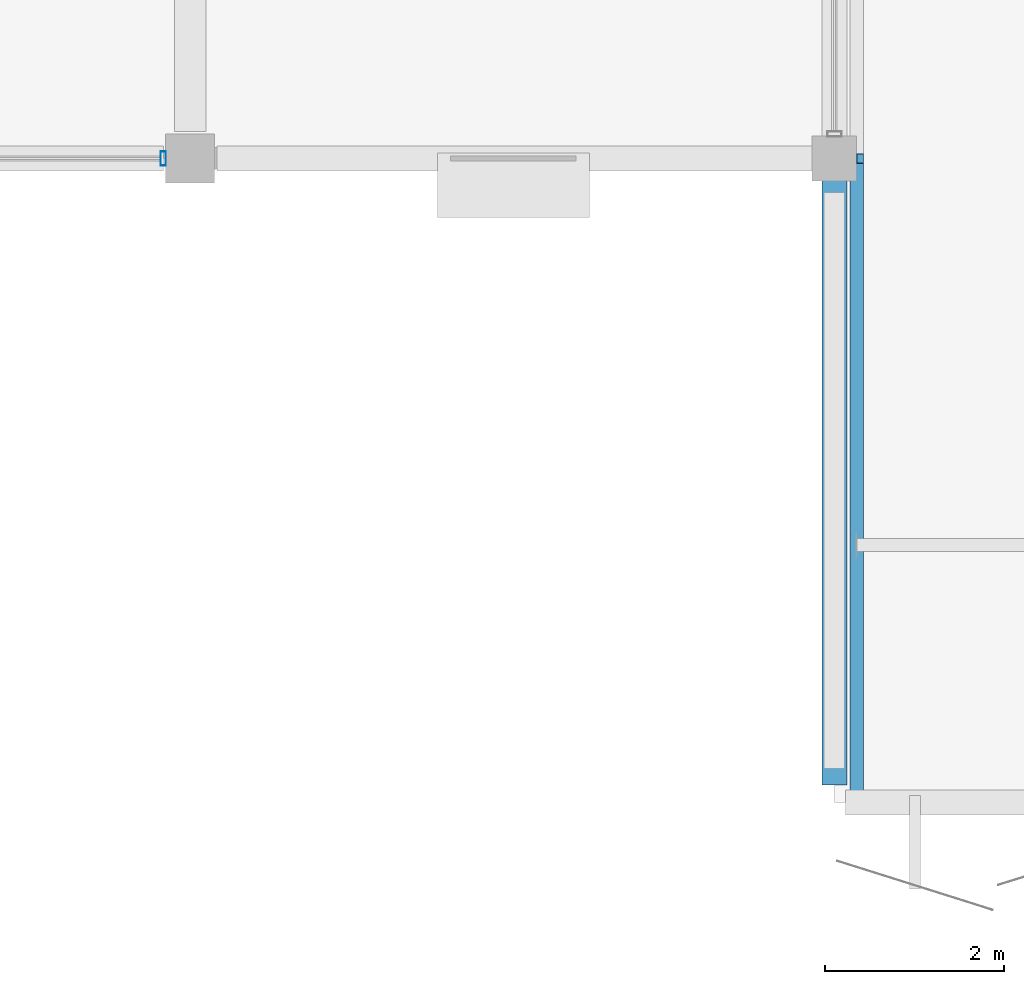
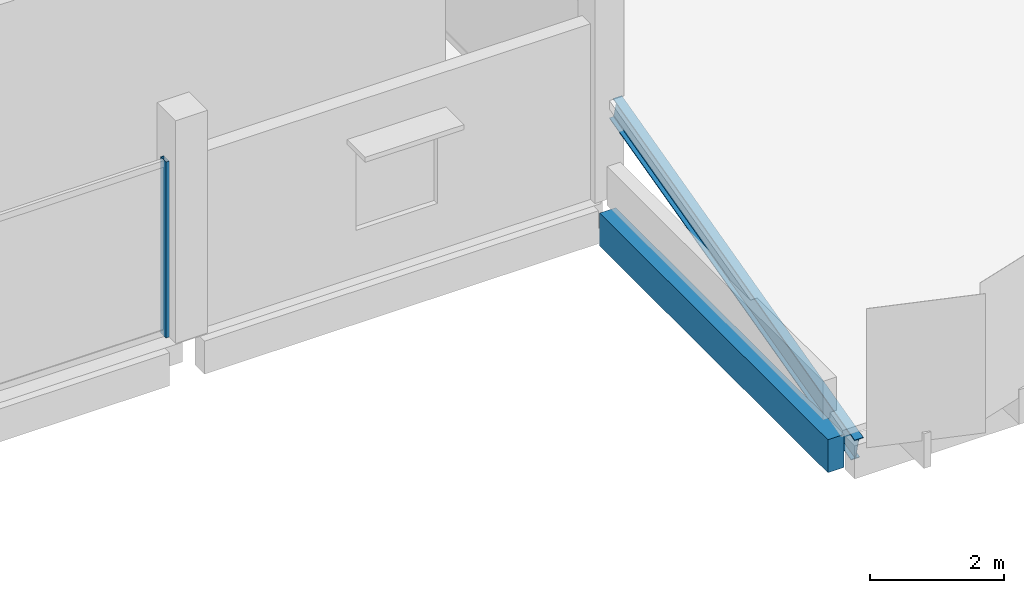
# One storey, part 15 of 108: 2 members, 1 beam, 1 element without a shape of its own.
"""IFC4 building model written with IfcOpenShell, lengths in metres."""

from ifc_helpers import new_model, si_unit, direction, frame, origin, origin_2d, place, context, subcontext, project, spatial, rectangle, hollow_rectangle, i_section, extrude, material, layer, layer_set, material_profile, profile_set, type_object, element, aggregate, save


model = new_model("IFC4")

# Units and contexts
model_context = context("Model", 3, precision=1e-05, world=origin(), true_north=direction((0.0, 1.0)))
body_context = subcontext(model_context, "Body", "Model", "MODEL_VIEW")
ifc_project = project(units=[si_unit("LENGTHUNIT", "METRE"), si_unit("AREAUNIT", "SQUARE_METRE"), si_unit("VOLUMEUNIT", "CUBIC_METRE"), si_unit("PLANEANGLEUNIT", "RADIAN"), si_unit("MASSUNIT", "GRAM", prefix="KILO")], contexts=[model_context])

# Site, building, storey
site_placement = place(None, origin())
site = spatial("IfcSite", under=ifc_project, at=site_placement, CompositionType="ELEMENT")
building_placement = place(site_placement, origin())
building = spatial("IfcBuilding", under=site, at=building_placement, Name="Kangsadwip Square Police Headquarters", CompositionType="ELEMENT")
storey_placement = place(building_placement, frame((0.0, 0.0, 9.449951171875)))
storey = spatial("IfcBuildingStorey", under=building, at=storey_placement, Name="L02", CompositionType="ELEMENT", Elevation=9.449951171875)

# Curtain wall, member
ifc_material_1 = material(Name="Thermally broken anodised aluminium AW-6063-T6", Category="aluminium")
ifc_layer = layer(ifc_material_1, 0.159912109375)
ifc_layer_set = layer_set([ifc_layer], Name="Thermally broken anodised aluminium AW-6063-T6")
curtain_wall_type = type_object("IfcCurtainWallType", Name="CourtScreen6635x3200", PredefinedType="USERDEFINED", material=ifc_layer_set)
curtain_wall_placement = place(storey_placement, origin())
curtain_wall = element("IfcCurtainWall", 1, at=curtain_wall_placement, inside=storey, type_object=curtain_wall_type, Name="Curtain Wall CW-L02-0291-0936", ObjectType="GLAZED_SCREEN", PredefinedType="USERDEFINED")
ifc_material_2 = material(Name="Thermally broken anodised aluminium AW-6063-T6", Category="aluminium")
ifc_material_profile_1 = material_profile(ifc_material_2, hollow_rectangle(XDim=0.06005859375, YDim=0.159912109375, WallThickness=0.00390625, at=origin_2d()), Name="CWM 160X60X4")
ifc_profile_set_1 = profile_set([ifc_material_profile_1], Name="Thermally broken anodised aluminium AW-6063-T6")
member_type_1 = type_object("IfcMemberType", Name="CwMullion135x60", PredefinedType="MULLION", material=ifc_profile_set_1)
member_1_placement = place(storey_placement, frame((35.699951171875, 93.60009765625, 0.0), z_axis=(0.0, 0.0, 1.0), x_axis=(1.0, 0.0, 0.0)))
member_1 = element("IfcMember", 2, at=member_1_placement, type_object=member_type_1, Name="CW-32 mullion 2", PredefinedType="MULLION", context=body_context, shape_type="SweptSolid", body=[
    extrude(hollow_rectangle(XDim=0.06005859375, YDim=0.159912109375, WallThickness=0.00390625, at=origin_2d()), origin(), (0.0, 0.0, 1.0), 3.199951171875),
])
aggregate(curtain_wall, [member_1])

# Beam
ifc_material_3 = material(Name="Concrete M40 (40 MPa)", Category="concrete")
ifc_material_profile_2 = material_profile(ifc_material_3, rectangle(XDim=0.280029296875, YDim=0.60009765625, at=origin_2d()), Name="RC SPN 600X280")
ifc_profile_set_2 = profile_set([ifc_material_profile_2], Name="Concrete M40 (40 MPa)")
beam_type = type_object("IfcBeamType", Name="RcSpandrel600x280", PredefinedType="SPANDREL", material=ifc_profile_set_2)
beam_placement = place(storey_placement, frame((43.199951171875, 86.60009765625, -0.5400390625), z_axis=(0.0, 1.0, 0.0), x_axis=(-1.0, 0.0, 0.0)))
element("IfcBeam", 3, at=beam_placement, inside=storey, type_object=beam_type, Name="Beam BM-L02-Y-06-12", PredefinedType="SPANDREL", context=body_context, shape_type="SweptSolid", body=[
    extrude(rectangle(XDim=0.280029296875, YDim=0.60009765625, at=origin_2d()), origin(), (0.0, 0.0, 1.0), 6.7998046875),
])

# Member
ifc_material_4 = material(Name="Structural steel IS 2062 E350 (Grade 350, 350 MPa)", Category="steel")
ifc_material_profile_3 = material_profile(ifc_material_4, i_section(OverallWidth=0.14990234375, OverallDepth=0.449951171875, WebThickness=0.009521484375, FlangeThickness=0.017333984375, at=origin_2d()), Name="ISMB 450")
ifc_profile_set_3 = profile_set([ifc_material_profile_3], Name="Structural steel IS 2062 E350 (Grade 350, 350 MPa)")
member_type_2 = type_object("IfcMemberType", Name="SawtoothRafterIsmb450", PredefinedType="RAFTER", material=ifc_profile_set_3)
member_2_placement = place(storey_placement, frame((43.449951171875, 86.39990234375, -0.419921875), z_axis=(0.0, 0.968545642507, 0.248835966814), x_axis=(-1.0, 0.0, 0.0)))
element("IfcMember", 4, at=member_2_placement, inside=storey, type_object=member_type_2, Name="Truss Member MEM-L02-0001", PredefinedType="RAFTER", context=body_context, shape_type="SweptSolid", body=[
    extrude(i_section(OverallWidth=0.14990234375, OverallDepth=0.449951171875, WebThickness=0.009521484375, FlangeThickness=0.017333984375, at=origin_2d()), origin(), (0.0, 0.0, 1.0), 7.43408203125),
])

save(model, "model.ifc")
